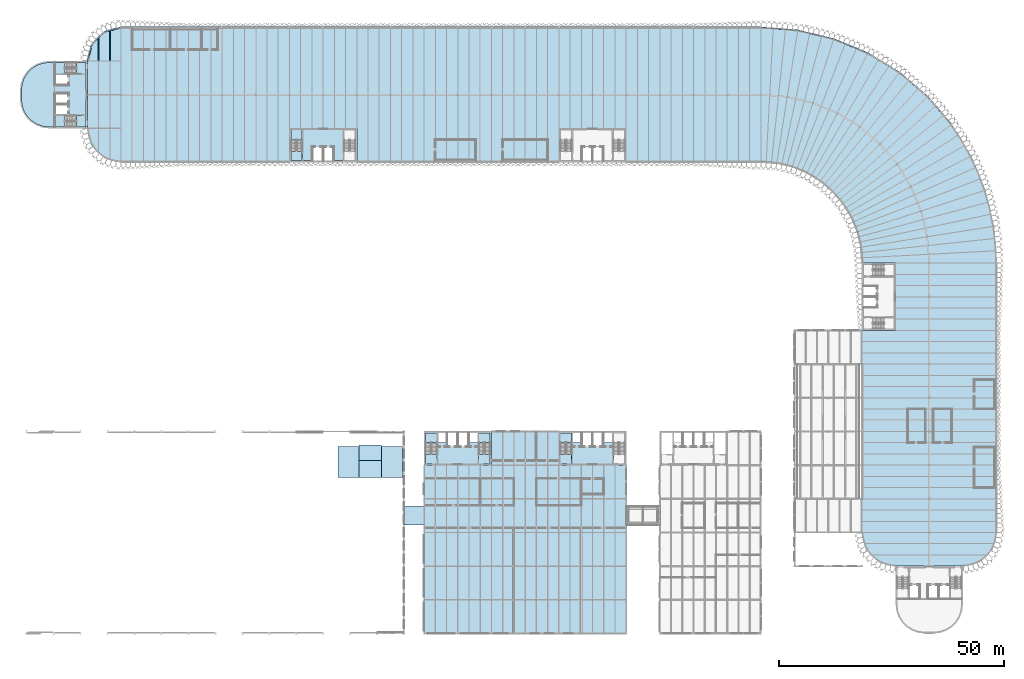
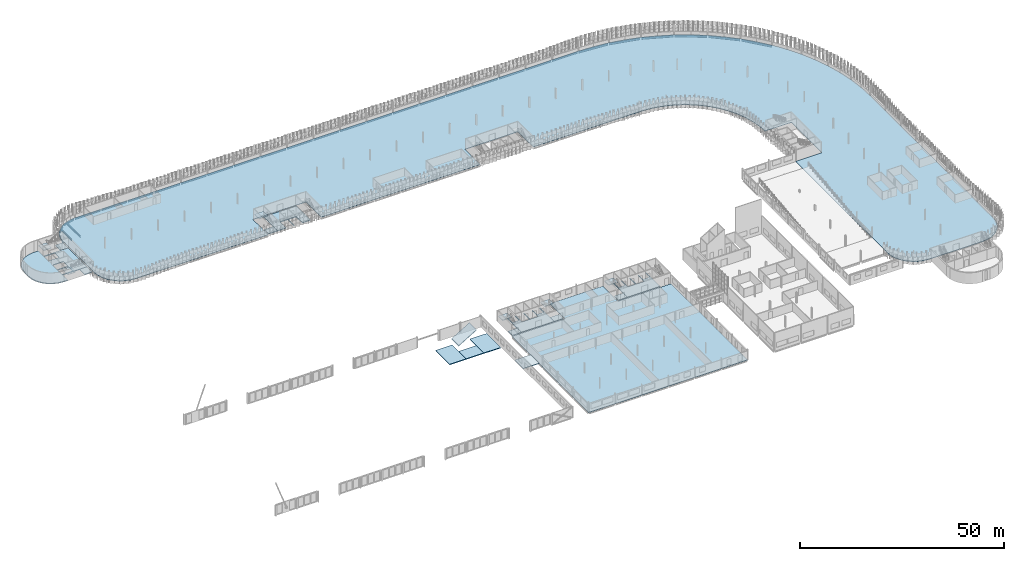
# One storey, part 39 of 198: 30 beams, 23 slabs, 6 elements without a shape of their own.
"""IFC4 building model written with IfcOpenShell, lengths in metres."""

from ifc_helpers import new_model, si_unit, direction, frame, origin, origin_2d, place, context, subcontext, project, spatial, polyline, i_section, outline, extrude, material, layer, layer_set, material_profile, profile_set, type_object, element, aggregate, save


model = new_model("IFC4")

# Units and contexts
model_context = context("Model", 3, precision=1e-05, world=origin(), true_north=direction((0.0, 1.0)))
body_context = subcontext(model_context, "Body", "Model", "MODEL_VIEW")
ifc_project = project(units=[si_unit("LENGTHUNIT", "METRE"), si_unit("AREAUNIT", "SQUARE_METRE"), si_unit("VOLUMEUNIT", "CUBIC_METRE"), si_unit("PLANEANGLEUNIT", "RADIAN"), si_unit("MASSUNIT", "GRAM", prefix="KILO")], contexts=[model_context])

# Site, building, storey
site_placement = place(None, origin())
site = spatial("IfcSite", under=ifc_project, at=site_placement, CompositionType="ELEMENT")
building_placement = place(site_placement, origin())
building = spatial("IfcBuilding", under=site, at=building_placement, Name="Parallax Yard Mobility Hub", CompositionType="ELEMENT")
storey_placement = place(building_placement, frame((0.0, 0.0, 6.60009765625)))
storey = spatial("IfcBuildingStorey", under=building, at=storey_placement, Name="L02", CompositionType="ELEMENT", Elevation=6.60009765625)

# Beams
ifc_material_1 = material(Name="Steel ASTM A992", Category="steel")
ifc_material_profile_1 = material_profile(ifc_material_1, i_section(OverallWidth=0.208984375, OverallDepth=0.532958984375, WebThickness=0.01025390625, FlangeThickness=0.015625, FilletRadius=0.0126953125, at=origin_2d()), Name="W530x92")
ifc_profile_set_1 = profile_set([ifc_material_profile_1], Name="Steel ASTM A992")
beam_type_1 = type_object("IfcBeamType", Name="W530x92 edge beam", PredefinedType="SPANDREL", material=ifc_profile_set_1)
beam_1_placement = place(storey_placement, frame((30.18408203125, 142.5, -0.406494140625), z_axis=(1.0, 0.0, 0.0), x_axis=(0.0, 1.0, 0.0)))
element("IfcBeam", 1, at=beam_1_placement, inside=storey, type_object=beam_type_1, Name="Edge beam SB5 level L02, line V of ramped parking decks, span 1", PredefinedType="SPANDREL", context=body_context, shape_type="SweptSolid", body=[
    extrude(i_section(OverallWidth=0.208984375, OverallDepth=0.532958984375, WebThickness=0.01025390625, FlangeThickness=0.015625, FilletRadius=0.0126953125, at=origin_2d()), origin(), (0.0, 0.0, 1.0), 7.163330078125),
])
for number, where, z_axis, x_axis, name in (
    (2, (37.652587890625, 142.5, -0.406494140625), (1.0, 0.0, 0.0), (0.0, 1.0, 0.0), "Edge beam SB5 level L02, line V of ramped parking decks, span 2"),
    (3, (45.152587890625, 142.5, -0.406494140625), (1.0, 0.0, 0.0), (0.0, 1.0, 0.0), "Edge beam SB5 level L02, line V of ramped parking decks, span 3"),
    (4, (52.652587890625, 142.5, -0.406494140625), (1.0, 0.0, 0.0), (0.0, 1.0, 0.0), "Edge beam SB5 level L02, line V of ramped parking decks, span 4"),
    (5, (60.152587890625, 142.5, -0.406494140625), (1.0, 0.0, 0.0), (0.0, 1.0, 0.0), "Edge beam SB5 level L02, line V of ramped parking decks, span 5"),
    (6, (67.652587890625, 142.5, -0.406494140625), (1.0, 0.0, 0.0), (0.0, 1.0, 0.0), "Edge beam SB5 level L02, line V of ramped parking decks, span 6"),
    (7, (75.152587890625, 142.5, -0.406494140625), (1.0, 0.0, 0.0), (0.0, 1.0, 0.0), "Edge beam SB5 level L02, line V of ramped parking decks, span 7"),
    (8, (82.652587890625, 142.5, -0.406494140625), (1.0, 0.0, 0.0), (0.0, 1.0, 0.0), "Edge beam SB5 level L02, line V of ramped parking decks, span 8"),
    (9, (90.152587890625, 142.5, -0.406494140625), (1.0, 0.0, 0.0), (0.0, 1.0, 0.0), "Edge beam SB5 level L02, line V of ramped parking decks, span 9"),
    (10, (97.652587890625, 142.5, -0.406494140625), (1.0, 0.0, 0.0), (0.0, 1.0, 0.0), "Edge beam SB5 level L02, line V of ramped parking decks, span 10"),
    (11, (105.152587890625, 142.5, -0.406494140625), (1.0, 0.0, 0.0), (0.0, 1.0, 0.0), "Edge beam SB5 level L02, line V of ramped parking decks, span 11"),
    (12, (112.652587890625, 142.5, -0.406494140625), (1.0, 0.0, 0.0), (0.0, 1.0, 0.0), "Edge beam SB5 level L02, line V of ramped parking decks, span 12"),
    (13, (120.152587890625, 142.5, -0.406494140625), (1.0, 0.0, 0.0), (0.0, 1.0, 0.0), "Edge beam SB5 level L02, line V of ramped parking decks, span 13"),
    (14, (127.652587890625, 142.5, -0.406494140625), (1.0, 0.0, 0.0), (0.0, 1.0, 0.0), "Edge beam SB5 level L02, line V of ramped parking decks, span 14"),
    (15, (135.152587890625, 142.5, -0.406494140625), (1.0, 0.0, 0.0), (0.0, 1.0, 0.0), "Edge beam SB5 level L02, line V of ramped parking decks, span 15"),
    (16, (142.652587890625, 142.5, -0.406494140625), (1.0, 0.0, 0.0), (0.0, 1.0, 0.0), "Edge beam SB5 level L02, line V of ramped parking decks, span 16"),
    (17, (150.152587890625, 142.5, -0.406494140625), (1.0, 0.0, 0.0), (0.0, 1.0, 0.0), "Edge beam SB5 level L02, line V of ramped parking decks, span 17"),
    (18, (157.652587890625, 142.5, -0.406494140625), (1.0, 0.0, 0.0), (0.0, 1.0, 0.0), "Edge beam SB5 level L02, line V of ramped parking decks, span 18"),
    (19, (165.152587890625, 142.5, -0.406494140625), (1.0, 0.0, 0.0), (0.0, 1.0, 0.0), "Edge beam SB5 level L02, line V of ramped parking decks, span 19"),
):
    element("IfcBeam", number, at=place(storey_placement, frame(where, z_axis=z_axis, x_axis=x_axis)), inside=storey, type_object=beam_type_1, Name=name, PredefinedType="SPANDREL", context=body_context, shape_type="SweptSolid", body=[
        extrude(i_section(OverallWidth=0.208984375, OverallDepth=0.532958984375, WebThickness=0.01025390625, FlangeThickness=0.015625, FilletRadius=0.0126953125, at=origin_2d()), origin(), (0.0, 0.0, 1.0), 7.19482421875),
    ])
beam_2_placement = place(storey_placement, frame((23.463623046875, 138.596435546875, -0.406494140625), z_axis=(-0.2588092838, -0.965928441769, 0.0), x_axis=(0.965928441769, -0.2588092838, 0.0)))
element("IfcBeam", 20, at=beam_2_placement, inside=storey, type_object=beam_type_1, Name="Edge beam SB5 level L02, the west end of ramped parking decks, span 2", PredefinedType="SPANDREL", context=body_context, shape_type="SweptSolid", body=[
    extrude(i_section(OverallWidth=0.208984375, OverallDepth=0.532958984375, WebThickness=0.01025390625, FlangeThickness=0.015625, FilletRadius=0.0126953125, at=origin_2d()), origin(), (0.0, 0.0, 1.0), 3.723388671875),
])
beam_3_placement = place(storey_placement, frame((26.097412109375, 141.3427734375, -0.406494140625), z_axis=(-0.707106781187, -0.707106781187, 0.0), x_axis=(0.707106781187, -0.707106781187, 0.0)))
element("IfcBeam", 21, at=beam_3_placement, inside=storey, type_object=beam_type_1, Name="Edge beam SB5 level L02, the west end of ramped parking decks, span 4", PredefinedType="SPANDREL", context=body_context, shape_type="SweptSolid", body=[
    extrude(i_section(OverallWidth=0.208984375, OverallDepth=0.532958984375, WebThickness=0.01025390625, FlangeThickness=0.015625, FilletRadius=0.0126953125, at=origin_2d()), origin(), (0.0, 0.0, 1.0), 3.450927734375),
])
beam_4_placement = place(storey_placement, frame((29.81591796875, 142.45068359375, -0.406494140625), z_axis=(-0.965929240213, -0.258806303829, 0.0), x_axis=(0.258806303829, -0.965929240213, 0.0)))
element("IfcBeam", 22, at=beam_4_placement, inside=storey, type_object=beam_type_1, Name="Edge beam SB5 level L02, the west end of ramped parking decks, span 6", PredefinedType="SPANDREL", context=body_context, shape_type="SweptSolid", body=[
    extrude(i_section(OverallWidth=0.208984375, OverallDepth=0.532958984375, WebThickness=0.01025390625, FlangeThickness=0.015625, FilletRadius=0.0126953125, at=origin_2d()), origin(), (0.0, 0.0, 1.0), 3.53369140625),
])
ifc_material_profile_2 = material_profile(ifc_material_1, i_section(OverallWidth=0.22802734375, OverallDepth=0.60205078125, WebThickness=0.010498046875, FlangeThickness=0.014892578125, FilletRadius=0.0126953125, at=origin_2d()), Name="W610x101")
ifc_profile_set_2 = profile_set([ifc_material_profile_2], Name="Steel ASTM A992")
beam_type_2 = type_object("IfcBeamType", Name="W610x101 secondary beam", PredefinedType="JOIST", material=ifc_profile_set_2)
beam_5_placement = place(storey_placement, frame((25.0, 135.095458984375, -0.441162109375), z_axis=(0.0, 1.0, 0.0), x_axis=(-1.0, 0.0, 0.0)))
element("IfcBeam", 23, at=beam_5_placement, inside=storey, type_object=beam_type_2, Name="Secondary beam B3 level L02, 2.5 m east of line 4 of ramped parking decks, span 4", PredefinedType="JOIST", context=body_context, shape_type="SweptSolid", body=[
    extrude(i_section(OverallWidth=0.22802734375, OverallDepth=0.60205078125, WebThickness=0.010498046875, FlangeThickness=0.014892578125, FilletRadius=0.0126953125, at=origin_2d()), origin(), (0.0, 0.0, 1.0), 5.001953125),
])
beam_6_placement = place(storey_placement, frame((27.5, 135.095458984375, -0.441162109375), z_axis=(0.0, 1.0, 0.0), x_axis=(-1.0, 0.0, 0.0)))
element("IfcBeam", 24, at=beam_6_placement, inside=storey, type_object=beam_type_2, Name="Secondary beam B3 level L02, 5 m east of line 4 of ramped parking decks, span 4", PredefinedType="JOIST", context=body_context, shape_type="SweptSolid", body=[
    extrude(i_section(OverallWidth=0.22802734375, OverallDepth=0.60205078125, WebThickness=0.010498046875, FlangeThickness=0.014892578125, FilletRadius=0.0126953125, at=origin_2d()), origin(), (0.0, 0.0, 1.0), 6.62646484375),
])
ifc_material_profile_3 = material_profile(ifc_material_1, i_section(OverallWidth=0.22900390625, OverallDepth=0.612060546875, WebThickness=0.011962890625, FlangeThickness=0.01953125, FilletRadius=0.0126953125, at=origin_2d()), Name="W610x125")
ifc_profile_set_3 = profile_set([ifc_material_profile_3], Name="Steel ASTM A992")
beam_type_3 = type_object("IfcBeamType", Name="W610x125 edge beam", PredefinedType="SPANDREL", material=ifc_profile_set_3)
beam_7_placement = place(storey_placement, frame((172.652587890625, 142.488037109375, -0.446044921875), z_axis=(0.996915282965, -0.07848514886, 0.0), x_axis=(0.07848514886, 0.996915282965, 0.0)))
element("IfcBeam", 25, at=beam_7_placement, inside=storey, type_object=beam_type_3, Name="Edge beam SB7 level L02, ring RC of ramped parking decks, span 1", PredefinedType="SPANDREL", context=body_context, shape_type="SweptSolid", body=[
    extrude(i_section(OverallWidth=0.22900390625, OverallDepth=0.612060546875, WebThickness=0.011962890625, FlangeThickness=0.01953125, FilletRadius=0.0126953125, at=origin_2d()), origin(), (0.0, 0.0, 1.0), 7.93212890625),
])
for number, where, z_axis, x_axis, name in (
    (26, (180.861572265625, 141.81787109375, -0.446044921875), (0.972375566855, -0.233421843416, 0.0), (0.233421843416, 0.972375566855, 0.0), "Edge beam SB7 level L02, ring RC of ramped parking decks, span 2"),
    (27, (188.86474609375, 139.8720703125, -0.446044921875), (0.923862648737, -0.38272419086, 0.0), (0.38272419086, 0.923862648737, 0.0), "Edge beam SB7 level L02, ring RC of ramped parking decks, span 3"),
    (28, (196.46484375, 136.697998046875, -0.446044921875), (0.852632214776, -0.522511537027, 0.0), (0.522511537027, 0.852632214776, 0.0), "Edge beam SB7 level L02, ring RC of ramped parking decks, span 4"),
    (29, (203.47509765625, 132.3740234375, -0.446044921875), (0.76040471034, -0.649449518048, 0.0), (0.649449518048, 0.76040471034, 0.0), "Edge beam SB7 level L02, ring RC of ramped parking decks, span 5"),
    (30, (209.722412109375, 127.0068359375, -0.446044921875), (0.649449518048, -0.76040471034, 0.0), (0.76040471034, 0.649449518048, 0.0), "Edge beam SB7 level L02, ring RC of ramped parking decks, span 6"),
):
    element("IfcBeam", number, at=place(storey_placement, frame(where, z_axis=z_axis, x_axis=x_axis)), inside=storey, type_object=beam_type_3, Name=name, PredefinedType="SPANDREL", context=body_context, shape_type="SweptSolid", body=[
        extrude(i_section(OverallWidth=0.22900390625, OverallDepth=0.612060546875, WebThickness=0.011962890625, FlangeThickness=0.01953125, FilletRadius=0.0126953125, at=origin_2d()), origin(), (0.0, 0.0, 1.0), 7.932373046875),
    ])

# Slabs
ifc_material_2 = material(Name="Steel ASTM A653 Gr 50 deck with insulated sheet", Category="steel")
ifc_layer_1 = layer(ifc_material_2, 0.1201171875)
ifc_layer_set_1 = layer_set([ifc_layer_1], Name="Bridge roof plate")
slab_type_1 = type_object("IfcSlabType", Name="Bridge roof plate", PredefinedType="ROOF", material=ifc_layer_set_1)
placement = place(building_placement, frame((0.0, 0.0, 3.300048828125)))
slab_1_placement = place(placement, frame((93.0, 31.64990234375, 3.368896484375), z_axis=(0.0, 0.0, 1.0), x_axis=(1.0, 0.0, 0.0)))
element("IfcSlab", 31, at=slab_1_placement, inside=storey, type_object=slab_type_1, Name="Bridge BR1 level L01 roof plate", PredefinedType="ROOF", context=body_context, shape_type="SweptSolid", body=[
    extrude(outline(polyline([(0.0, 0.0), (4.5, 0.0), (4.5, 4.2001953125), (0.0, 4.2001953125), (0.0, 0.0)])), origin(), (0.0, 0.0, -1.0), 0.1201171875),
])
ifc_material_3 = material(Name="Composite slab: Concrete fc' 28 MPa on 76 mm steel deck", Category="concrete")
ifc_layer_2 = layer(ifc_material_3, 0.139892578125)
ifc_layer_set_2 = layer_set([ifc_layer_2], Name="Composite floor slab 140")
slab_type_2 = type_object("IfcSlabType", Name="Composite floor slab 140", PredefinedType="FLOOR", material=ifc_layer_set_2)
slab_2_placement = place(storey_placement, frame((0.0, 0.0, -0.14013671875)))
element("IfcSlab", 32, at=slab_2_placement, inside=storey, type_object=slab_type_2, Name="Composite floor slab level L02 of the ramped parking decks", PredefinedType="FLOOR", context=body_context, shape_type="SweptSolid", body=[
    extrude(outline(polyline([(25.833251953125, 141.236083984375), (24.69677734375, 140.30322265625), (23.763916015625, 139.166748046875), (23.07080078125, 137.8701171875), (22.64404296875, 136.463134765625), (22.5, 135.0), (22.5, 120.0), (22.64404296875, 118.536865234375), (23.07080078125, 117.1298828125), (23.763916015625, 115.833251953125), (24.69677734375, 114.69677734375), (25.833251953125, 113.763916015625), (27.1298828125, 113.07080078125), (28.536865234375, 112.64404296875), (30.0, 112.5), (67.5, 112.5), (67.5, 120.0), (82.5, 120.0), (82.5, 112.5), (127.5, 112.5), (127.5, 120.0), (142.5, 120.0), (142.5, 112.5), (172.5, 112.5), (173.9716796875, 112.451904296875), (175.436767578125, 112.3076171875), (176.889404296875, 112.067626953125), (178.323486328125, 111.7333984375), (179.732421875, 111.305908203125), (181.1103515625, 110.787353515625), (182.451416015625, 110.1796875), (183.75, 109.485595703125), (185.000244140625, 108.7080078125), (186.197021484375, 107.8505859375), (187.335205078125, 106.91650390625), (188.409912109375, 105.909912109375), (189.41650390625, 104.835205078125), (190.3505859375, 103.697021484375), (191.2080078125, 102.500244140625), (191.985595703125, 101.25), (192.6796875, 99.951416015625), (193.287353515625, 98.6103515625), (193.805908203125, 97.232421875), (194.2333984375, 95.823486328125), (194.567626953125, 94.389404296875), (194.8076171875, 92.936767578125), (194.951904296875, 91.4716796875), (195.0, 90.0), (202.5, 90.0), (202.5, 75.0), (195.0, 75.0), (195.0, 30.0), (195.14404296875, 28.536865234375), (195.57080078125, 27.1298828125), (196.263916015625, 25.833251953125), (197.19677734375, 24.69677734375), (198.333251953125, 23.763916015625), (199.6298828125, 23.07080078125), (201.036865234375, 22.64404296875), (202.5, 22.5), (217.5, 22.5), (218.963134765625, 22.64404296875), (220.3701171875, 23.07080078125), (221.666748046875, 23.763916015625), (222.80322265625, 24.69677734375), (223.736083984375, 25.833251953125), (224.42919921875, 27.1298828125), (224.85595703125, 28.536865234375), (225.0, 30.0), (225.0, 90.0), (224.978515625, 91.499267578125), (224.914306640625, 92.997314453125), (224.807373046875, 94.49267578125), (224.65771484375, 95.984619140625), (224.465576171875, 97.471435546875), (224.231201171875, 98.952392578125), (223.954345703125, 100.426025390625), (223.635498046875, 101.89111328125), (223.275146484375, 103.346435546875), (222.873291015625, 104.791015625), (222.430419921875, 106.223388671875), (221.94677734375, 107.642578125), (221.4228515625, 109.04736328125), (220.85888671875, 110.436767578125), (220.255615234375, 111.809326171875), (219.61328125, 113.1640625), (218.9326171875, 114.5), (218.214111328125, 115.81591796875), (217.458251953125, 117.11083984375), (216.665771484375, 118.383544921875), (215.83740234375, 119.63330078125), (214.973388671875, 120.858642578125), (214.074951171875, 122.05908203125), (213.142333984375, 123.233154296875), (212.177001953125, 124.380126953125), (211.178955078125, 125.499267578125), (210.1494140625, 126.589111328125), (209.089111328125, 127.6494140625), (207.999267578125, 128.678955078125), (206.880126953125, 129.677001953125), (205.733154296875, 130.642333984375), (204.55908203125, 131.574951171875), (203.358642578125, 132.473388671875), (202.13330078125, 133.33740234375), (200.883544921875, 134.165771484375), (199.61083984375, 134.958251953125), (198.31591796875, 135.714111328125), (197.0, 136.4326171875), (195.6640625, 137.11328125), (194.309326171875, 137.755615234375), (192.936767578125, 138.35888671875), (191.54736328125, 138.9228515625), (190.142578125, 139.44677734375), (188.723388671875, 139.930419921875), (187.291015625, 140.373291015625), (185.846435546875, 140.775146484375), (184.39111328125, 141.135498046875), (182.926025390625, 141.454345703125), (181.452392578125, 141.731201171875), (179.971435546875, 141.965576171875), (178.484619140625, 142.15771484375), (176.99267578125, 142.307373046875), (175.497314453125, 142.414306640625), (173.999267578125, 142.478515625), (172.5, 142.5), (30.0, 142.5), (28.536865234375, 142.35595703125), (27.1298828125, 141.92919921875), (25.833251953125, 141.236083984375)])), origin(), (0.0, 0.0, 1.0), 0.14013671875),
])
slab_3_placement = place(storey_placement, frame((0.0, 0.0, -0.14013671875)))
element("IfcSlab", 33, at=slab_3_placement, inside=storey, type_object=slab_type_2, Name="Composite floor slab level L02 of the mobility service centre and workshops", PredefinedType="FLOOR", context=body_context, shape_type="SweptSolid", body=[
    extrude(outline(polyline([(142.5, 7.5), (142.5, 45.0), (127.5, 45.0), (127.5, 52.5), (112.5, 52.5), (112.5, 45.0), (97.5, 45.0), (97.5, 7.5), (142.5, 7.5)])), origin(), (0.0, 0.0, 1.0), 0.14013671875),
])
ifc_material_4 = material(Name="Concrete fc' 35 MPa", Category="concrete")
ifc_layer_3 = layer(ifc_material_4, 0.199951171875)
ifc_layer_set_3 = layer_set([ifc_layer_3], Name="Core floor slab 200")
slab_type_3 = type_object("IfcSlabType", Name="Core floor slab 200", PredefinedType="FLOOR", material=ifc_layer_set_3)
slab_4_placement = place(storey_placement, frame((0.0, 0.0, -0.2001953125)))
element("IfcSlab", 34, at=slab_4_placement, inside=storey, type_object=slab_type_3, Name="Core C-W floor slab level L02", PredefinedType="FLOOR", context=body_context, shape_type="SweptSolid", body=[
    extrude(outline(polyline([(11.309814453125, 120.9140625), (10.13427734375, 121.652587890625), (9.152587890625, 122.63427734375), (8.4140625, 123.809814453125), (7.95556640625, 125.120361328125), (7.800048828125, 126.5), (7.800048828125, 128.5), (7.95556640625, 129.879638671875), (8.4140625, 131.190185546875), (9.152587890625, 132.36572265625), (10.13427734375, 133.347412109375), (11.309814453125, 134.0859375), (12.620361328125, 134.54443359375), (14.0, 134.699951171875), (15.300048828125, 134.699951171875), (15.300048828125, 132.14990234375), (22.199951171875, 132.14990234375), (22.199951171875, 122.85009765625), (15.300048828125, 122.85009765625), (15.300048828125, 120.300048828125), (14.0, 120.300048828125), (12.620361328125, 120.45556640625), (11.309814453125, 120.9140625)]), holes=[polyline([(18.300048828125, 123.10009765625), (18.300048828125, 125.300048828125), (15.300048828125, 125.300048828125), (15.300048828125, 123.10009765625), (18.300048828125, 123.10009765625)]), polyline([(15.300048828125, 125.5), (18.300048828125, 125.5), (18.300048828125, 127.699951171875), (15.300048828125, 127.699951171875), (15.300048828125, 125.5)]), polyline([(15.300048828125, 131.89990234375), (15.300048828125, 129.699951171875), (18.300048828125, 129.699951171875), (18.300048828125, 131.89990234375), (15.300048828125, 131.89990234375)])]), origin(), (0.0, 0.0, 1.0), 0.2001953125),
])
slab_5_placement = place(storey_placement, frame((0.0, 0.0, -0.2001953125)))
element("IfcSlab", 35, at=slab_5_placement, inside=storey, type_object=slab_type_3, Name="Core C-N1 floor slab level L02", PredefinedType="FLOOR", context=body_context, shape_type="SweptSolid", body=[
    extrude(outline(polyline([(79.64990234375, 119.699951171875), (79.64990234375, 112.800048828125), (77.300048828125, 112.800048828125), (77.300048828125, 115.800048828125), (75.10009765625, 115.800048828125), (75.10009765625, 112.800048828125), (74.89990234375, 112.800048828125), (74.89990234375, 115.800048828125), (72.699951171875, 115.800048828125), (72.699951171875, 112.800048828125), (70.35009765625, 112.800048828125), (70.35009765625, 119.699951171875), (79.64990234375, 119.699951171875)])), origin(), (0.0, 0.0, 1.0), 0.2001953125),
])
slab_6_placement = place(storey_placement, frame((0.0, 0.0, -0.2001953125)))
element("IfcSlab", 36, at=slab_6_placement, inside=storey, type_object=slab_type_3, Name="Core C6-W floor slab level L02", PredefinedType="FLOOR", context=body_context, shape_type="SweptSolid", body=[
    extrude(outline(polyline([(104.89990234375, 49.199951171875), (104.89990234375, 52.199951171875), (105.10009765625, 52.199951171875), (105.10009765625, 49.199951171875), (107.300048828125, 49.199951171875), (107.300048828125, 52.199951171875), (107.5, 52.199951171875), (107.5, 50.10009765625), (109.39990234375, 50.10009765625), (109.39990234375, 52.199951171875), (109.64990234375, 52.199951171875), (109.64990234375, 45.300048828125), (100.35009765625, 45.300048828125), (100.35009765625, 52.199951171875), (100.60009765625, 52.199951171875), (100.60009765625, 50.10009765625), (102.5, 50.10009765625), (102.5, 52.199951171875), (102.699951171875, 52.199951171875), (102.699951171875, 49.199951171875), (104.89990234375, 49.199951171875)])), origin(), (0.0, 0.0, 1.0), 0.2001953125),
])
slab_7_placement = place(storey_placement, frame((0.0, 0.0, -0.2001953125)))
element("IfcSlab", 37, at=slab_7_placement, inside=storey, type_object=slab_type_3, Name="Core C6-E floor slab level L02", PredefinedType="FLOOR", context=body_context, shape_type="SweptSolid", body=[
    extrude(outline(polyline([(134.89990234375, 49.199951171875), (134.89990234375, 52.199951171875), (135.10009765625, 52.199951171875), (135.10009765625, 49.199951171875), (137.300048828125, 49.199951171875), (137.300048828125, 52.199951171875), (137.5, 52.199951171875), (137.5, 50.10009765625), (139.39990234375, 50.10009765625), (139.39990234375, 52.199951171875), (139.64990234375, 52.199951171875), (139.64990234375, 45.300048828125), (130.35009765625, 45.300048828125), (130.35009765625, 52.199951171875), (130.60009765625, 52.199951171875), (130.60009765625, 50.10009765625), (132.5, 50.10009765625), (132.5, 52.199951171875), (132.699951171875, 52.199951171875), (132.699951171875, 49.199951171875), (134.89990234375, 49.199951171875)])), origin(), (0.0, 0.0, 1.0), 0.2001953125),
])
ifc_layer_4 = layer(ifc_material_4, 0.199951171875)
ifc_layer_set_4 = layer_set([ifc_layer_4], Name="Core roof slab 200")
slab_type_4 = type_object("IfcSlabType", Name="Core roof slab 200", PredefinedType="ROOF", material=ifc_layer_set_4)
slab_8_placement = place(placement, frame((0.0, 0.0, 3.099853515625)))
element("IfcSlab", 38, at=slab_8_placement, inside=storey, type_object=slab_type_4, Name="Core C1 head-house roof slab part 1", PredefinedType="ROOF", context=body_context, shape_type="SweptSolid", body=[
    extrude(outline(polyline([(83.0, 42.300048828125), (83.0, 49.199951171875), (78.300048828125, 49.199951171875), (78.300048828125, 42.300048828125), (83.0, 42.300048828125)])), origin(), (0.0, 0.0, 1.0), 0.2001953125),
])
slab_9_placement = place(placement, frame((0.0, 0.0, 3.099853515625)))
element("IfcSlab", 39, at=slab_9_placement, inside=storey, type_object=slab_type_4, Name="Core C1 head-house roof slab part 2", PredefinedType="ROOF", context=body_context, shape_type="SweptSolid", body=[
    extrude(outline(polyline([(88.0, 42.300048828125), (88.0, 46.0), (83.0, 46.0), (83.0, 42.300048828125), (88.0, 42.300048828125)])), origin(), (0.0, 0.0, 1.0), 0.2001953125),
])
slab_10_placement = place(placement, frame((0.0, 0.0, 3.099853515625)))
element("IfcSlab", 40, at=slab_10_placement, inside=storey, type_object=slab_type_4, Name="Core C1 head-house roof slab part 3", PredefinedType="ROOF", context=body_context, shape_type="SweptSolid", body=[
    extrude(outline(polyline([(92.699951171875, 42.300048828125), (92.699951171875, 49.199951171875), (88.0, 49.199951171875), (88.0, 42.300048828125), (92.699951171875, 42.300048828125)])), origin(), (0.0, 0.0, 1.0), 0.2001953125),
])
slab_11_placement = place(storey_placement, frame((83.0, 47.75, 1.699951171875), z_axis=(0.0, 0.0, 1.0), x_axis=(1.0, 0.0, 0.0)))
element("IfcSlab", 41, at=slab_11_placement, inside=storey, type_object=slab_type_4, Name="Core C1 raked crown roof slab over lift bank 1", PredefinedType="ROOF", context=body_context, shape_type="SweptSolid", body=[
    extrude(outline(polyline([(0.0, -0.199951171875), (5.0, 2.800048828125), (5.0, 3.0), (0.0, 0.0), (0.0, -0.199951171875)])), frame((0.0, 1.75, 0.0), z_axis=(0.0, -1.0, 0.0), x_axis=(1.0, 0.0, 0.0)), (0.0, 0.0, 1.0), 3.5),
])

# Stair, slab
stair_type_1 = type_object("IfcStairType", Name="Exit stair 1200 dog-leg", PredefinedType="HALF_TURN_STAIR", material=ifc_material_4)
stair_1_placement = place(storey_placement, origin())
stair_1 = element("IfcStair", 42, at=stair_1_placement, inside=storey, type_object=stair_type_1, Name="L02 Exit stair 1 of core C-W", PredefinedType="HALF_TURN_STAIR")
ifc_layer_5 = layer(ifc_material_4, 0.199951171875)
ifc_layer_set_5 = layer_set([ifc_layer_5], Name="Exit stair landing 200")
slab_type_5 = type_object("IfcSlabType", Name="Exit stair landing 200", PredefinedType="LANDING", material=ifc_layer_set_5)
slab_12_placement = place(storey_placement, frame((0.0, 0.0, 1.449951171875)))
slab_12 = element("IfcSlab", 43, at=slab_12_placement, type_object=slab_type_5, Name="ST1 landing 1", PredefinedType="LANDING", context=body_context, shape_type="SweptSolid", body=[
    extrude(outline(polyline([(17.534912109375, 122.85009765625), (15.300048828125, 122.85009765625), (15.300048828125, 120.300048828125), (17.534912109375, 120.300048828125), (17.534912109375, 122.85009765625)])), origin(), (0.0, 0.0, 1.0), 0.199951171875),
])
aggregate(stair_1, [slab_12])

stair_2_placement = place(storey_placement, origin())
stair_2 = element("IfcStair", 44, at=stair_2_placement, inside=storey, type_object=stair_type_1, Name="L02 Exit stair 2 of core C-W", PredefinedType="HALF_TURN_STAIR")
slab_13_placement = place(storey_placement, frame((0.0, 0.0, 1.449951171875)))
slab_13 = element("IfcSlab", 45, at=slab_13_placement, type_object=slab_type_5, Name="ST2 landing 1", PredefinedType="LANDING", context=body_context, shape_type="SweptSolid", body=[
    extrude(outline(polyline([(17.534912109375, 134.699951171875), (15.300048828125, 134.699951171875), (15.300048828125, 132.14990234375), (17.534912109375, 132.14990234375), (17.534912109375, 134.699951171875)])), origin(), (0.0, 0.0, 1.0), 0.199951171875),
])
aggregate(stair_2, [slab_13])

stair_3_placement = place(storey_placement, origin())
stair_3 = element("IfcStair", 46, at=stair_3_placement, inside=storey, type_object=stair_type_1, Name="L02 Exit stair 2 of core C-N1", PredefinedType="HALF_TURN_STAIR")
slab_14_placement = place(storey_placement, frame((0.0, 0.0, 1.449951171875)))
slab_14 = element("IfcSlab", 47, at=slab_14_placement, type_object=slab_type_5, Name="ST4 landing 1", PredefinedType="LANDING", context=body_context, shape_type="SweptSolid", body=[
    extrude(outline(polyline([(70.35009765625, 117.465087890625), (70.35009765625, 119.699951171875), (67.800048828125, 119.699951171875), (67.800048828125, 117.465087890625), (70.35009765625, 117.465087890625)])), origin(), (0.0, 0.0, 1.0), 0.199951171875),
])
aggregate(stair_3, [slab_14])

stair_type_2 = type_object("IfcStairType", Name="Sports deck stair 1200 dog-leg", PredefinedType="HALF_TURN_STAIR", material=ifc_material_4)
stair_4_placement = place(storey_placement, origin())
stair_4 = element("IfcStair", 48, at=stair_4_placement, inside=storey, type_object=stair_type_2, Name="L02 Exit stair 1 of core C6-W", PredefinedType="HALF_TURN_STAIR")
slab_15_placement = place(storey_placement, frame((0.0, 0.0, 1.449951171875)))
slab_15 = element("IfcSlab", 49, at=slab_15_placement, type_object=slab_type_5, Name="ST11 landing 1", PredefinedType="LANDING", context=body_context, shape_type="SweptSolid", body=[
    extrude(outline(polyline([(100.35009765625, 50.10009765625), (100.35009765625, 52.199951171875), (97.800048828125, 52.199951171875), (97.800048828125, 50.10009765625), (100.35009765625, 50.10009765625)])), origin(), (0.0, 0.0, 1.0), 0.199951171875),
])
aggregate(stair_4, [slab_15])

stair_5_placement = place(storey_placement, origin())
stair_5 = element("IfcStair", 50, at=stair_5_placement, inside=storey, type_object=stair_type_2, Name="L02 Exit stair 2 of core C6-W", PredefinedType="HALF_TURN_STAIR")
slab_16_placement = place(storey_placement, frame((0.0, 0.0, 1.449951171875)))
slab_16 = element("IfcSlab", 51, at=slab_16_placement, type_object=slab_type_5, Name="ST12 landing 1", PredefinedType="LANDING", context=body_context, shape_type="SweptSolid", body=[
    extrude(outline(polyline([(112.199951171875, 50.10009765625), (112.199951171875, 52.199951171875), (109.64990234375, 52.199951171875), (109.64990234375, 50.10009765625), (112.199951171875, 50.10009765625)])), origin(), (0.0, 0.0, 1.0), 0.199951171875),
])
aggregate(stair_5, [slab_16])

stair_6_placement = place(storey_placement, origin())
stair_6 = element("IfcStair", 52, at=stair_6_placement, inside=storey, type_object=stair_type_2, Name="L02 Exit stair 1 of core C6-E", PredefinedType="HALF_TURN_STAIR")
slab_17_placement = place(storey_placement, frame((0.0, 0.0, 1.449951171875)))
slab_17 = element("IfcSlab", 53, at=slab_17_placement, type_object=slab_type_5, Name="ST13 landing 1", PredefinedType="LANDING", context=body_context, shape_type="SweptSolid", body=[
    extrude(outline(polyline([(130.35009765625, 50.10009765625), (130.35009765625, 52.199951171875), (127.800048828125, 52.199951171875), (127.800048828125, 50.10009765625), (130.35009765625, 50.10009765625)])), origin(), (0.0, 0.0, 1.0), 0.199951171875),
])
aggregate(stair_6, [slab_17])

# Slabs
ifc_layer_6 = layer(ifc_material_4, 0.199951171875)
ifc_layer_set_6 = layer_set([ifc_layer_6], Name="Stair floor landing slab 200")
slab_type_6 = type_object("IfcSlabType", Name="Stair floor landing slab 200", PredefinedType="FLOOR", material=ifc_layer_set_6)
slab_18_placement = place(storey_placement, frame((0.0, 0.0, -0.2001953125)))
element("IfcSlab", 54, at=slab_18_placement, inside=storey, type_object=slab_type_6, Name="Core C-W exit stair 1 floor landing level L02", PredefinedType="FLOOR", context=body_context, shape_type="SweptSolid", body=[
    extrude(outline(polyline([(20.10009765625, 120.300048828125), (20.10009765625, 122.85009765625), (22.199951171875, 122.85009765625), (22.199951171875, 120.300048828125), (20.10009765625, 120.300048828125)])), origin(), (0.0, 0.0, 1.0), 0.2001953125),
])
slab_19_placement = place(storey_placement, frame((0.0, 0.0, -0.2001953125)))
element("IfcSlab", 55, at=slab_19_placement, inside=storey, type_object=slab_type_6, Name="Core C-W exit stair 2 floor landing level L02", PredefinedType="FLOOR", context=body_context, shape_type="SweptSolid", body=[
    extrude(outline(polyline([(20.10009765625, 132.14990234375), (20.10009765625, 134.699951171875), (22.199951171875, 134.699951171875), (22.199951171875, 132.14990234375), (20.10009765625, 132.14990234375)])), origin(), (0.0, 0.0, 1.0), 0.2001953125),
])
slab_20_placement = place(storey_placement, frame((0.0, 0.0, -0.2001953125)))
element("IfcSlab", 56, at=slab_20_placement, inside=storey, type_object=slab_type_6, Name="Core C-N1 exit stair 2 floor landing level L02", PredefinedType="FLOOR", context=body_context, shape_type="SweptSolid", body=[
    extrude(outline(polyline([(67.800048828125, 114.89990234375), (67.800048828125, 112.800048828125), (70.35009765625, 112.800048828125), (70.35009765625, 114.89990234375), (67.800048828125, 114.89990234375)])), origin(), (0.0, 0.0, 1.0), 0.2001953125),
])
slab_21_placement = place(storey_placement, frame((0.0, 0.0, -0.2001953125)))
element("IfcSlab", 57, at=slab_21_placement, inside=storey, type_object=slab_type_6, Name="Core C6-W exit stair 1 floor landing level L02", PredefinedType="FLOOR", context=body_context, shape_type="SweptSolid", body=[
    extrude(outline(polyline([(100.35009765625, 45.300048828125), (100.35009765625, 47.39990234375), (97.800048828125, 47.39990234375), (97.800048828125, 45.300048828125), (100.35009765625, 45.300048828125)])), origin(), (0.0, 0.0, 1.0), 0.2001953125),
])
slab_22_placement = place(storey_placement, frame((0.0, 0.0, -0.2001953125)))
element("IfcSlab", 58, at=slab_22_placement, inside=storey, type_object=slab_type_6, Name="Core C6-W exit stair 2 floor landing level L02", PredefinedType="FLOOR", context=body_context, shape_type="SweptSolid", body=[
    extrude(outline(polyline([(112.199951171875, 45.300048828125), (112.199951171875, 47.39990234375), (109.64990234375, 47.39990234375), (109.64990234375, 45.300048828125), (112.199951171875, 45.300048828125)])), origin(), (0.0, 0.0, 1.0), 0.2001953125),
])
slab_23_placement = place(storey_placement, frame((0.0, 0.0, -0.2001953125)))
element("IfcSlab", 59, at=slab_23_placement, inside=storey, type_object=slab_type_6, Name="Core C6-E exit stair 1 floor landing level L02", PredefinedType="FLOOR", context=body_context, shape_type="SweptSolid", body=[
    extrude(outline(polyline([(130.35009765625, 45.300048828125), (130.35009765625, 47.39990234375), (127.800048828125, 47.39990234375), (127.800048828125, 45.300048828125), (130.35009765625, 45.300048828125)])), origin(), (0.0, 0.0, 1.0), 0.2001953125),
])

save(model, "model.ifc")
